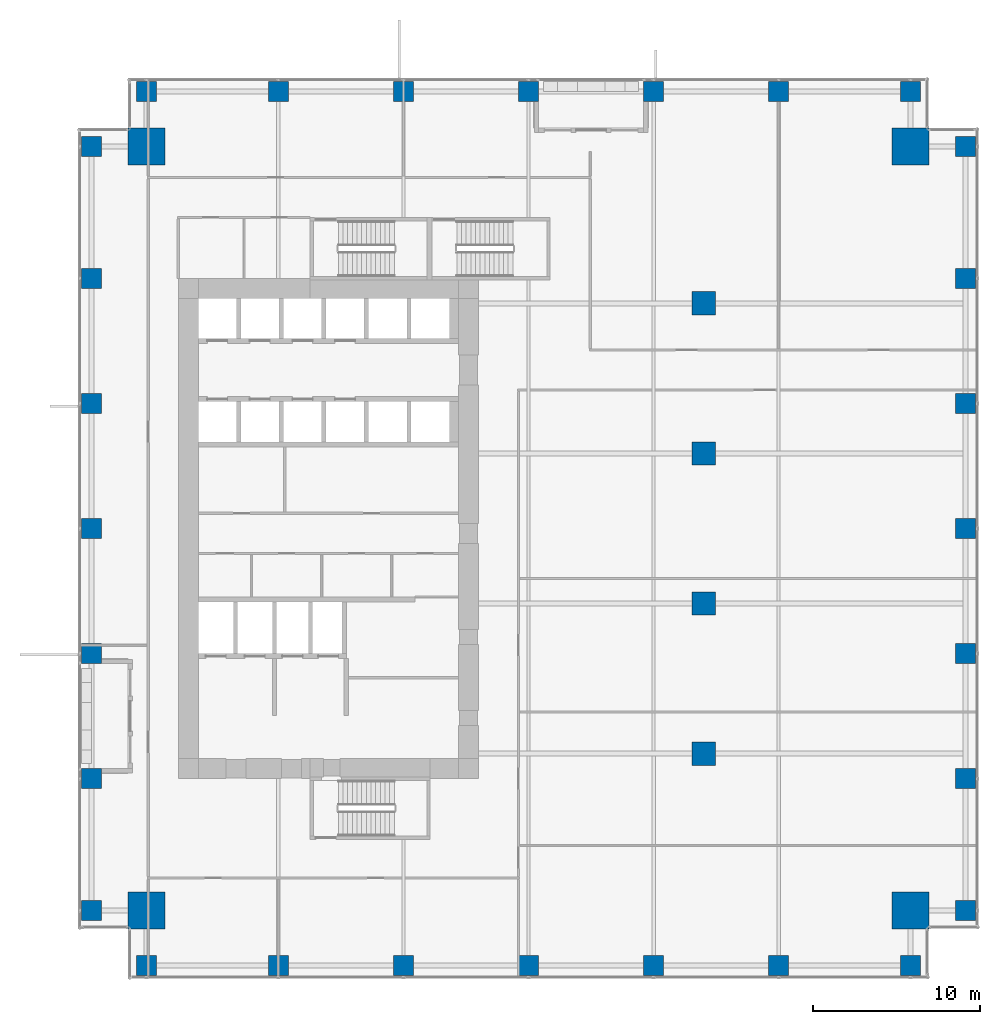
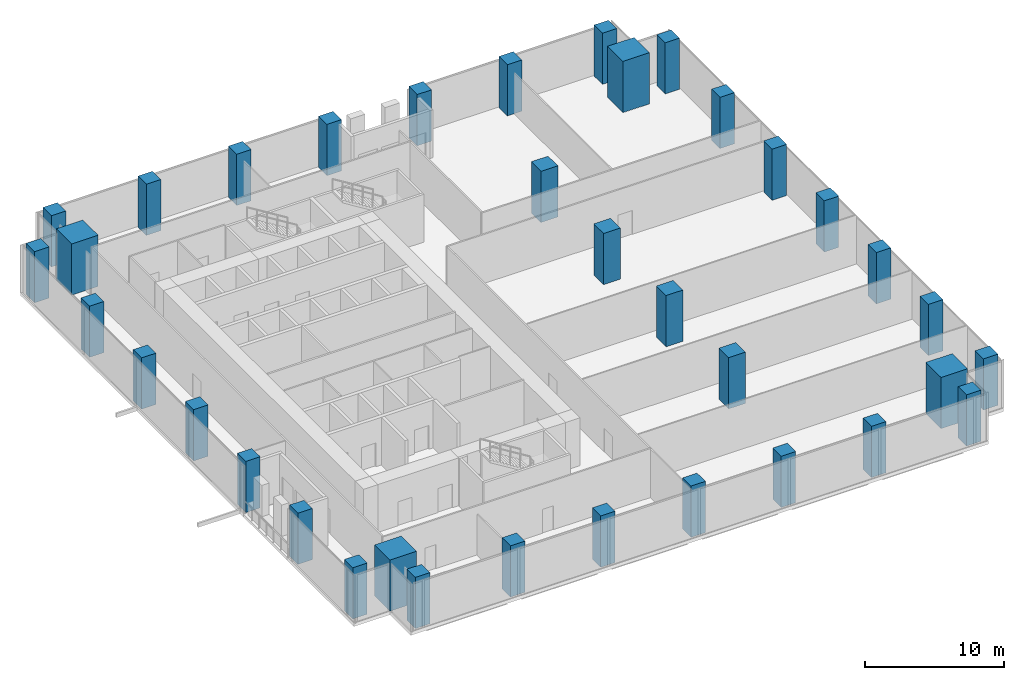
# One storey, part 1 of 33: 36 columns.
"""IFC4 building model written with IfcOpenShell, lengths in metres."""

from ifc_helpers import new_model, si_unit, direction, frame, origin, origin_2d, place, context, subcontext, project, spatial, rectangle, extrude, source, transform, mapped, material, material_profile, profile_set, type_object, element, save


model = new_model("IFC4")

# Units and contexts
model_context = context("Model", 3, precision=1e-05, world=origin(), true_north=direction((0.0, 1.0)))
body_context = subcontext(model_context, "Body", "Model", "MODEL_VIEW")
ifc_project = project(units=[si_unit("LENGTHUNIT", "METRE"), si_unit("AREAUNIT", "SQUARE_METRE"), si_unit("VOLUMEUNIT", "CUBIC_METRE"), si_unit("PLANEANGLEUNIT", "RADIAN"), si_unit("MASSUNIT", "GRAM", prefix="KILO")], contexts=[model_context])

# Site, building, storey
site_placement = place(None, origin())
site = spatial("IfcSite", under=ifc_project, at=site_placement, CompositionType="ELEMENT")
building_placement = place(site_placement, origin())
building = spatial("IfcBuilding", under=site, at=building_placement, Name="Khomas Fold Tower", CompositionType="ELEMENT")
storey_placement = place(building_placement, frame((0.0, 0.0, 91.5)))
storey = spatial("IfcBuildingStorey", under=building, at=storey_placement, Name="L19", CompositionType="ELEMENT", Elevation=91.5)

# Columns
ifc_material_1 = material(Name="Concrete C70/85", Category="concrete")
ifc_material_profile_1 = material_profile(ifc_material_1, rectangle(XDim=2.199951171875, YDim=2.199951171875, at=origin_2d()), Name="RC 2200x2200")
ifc_profile_set_1 = profile_set([ifc_material_profile_1], Name="Concrete C70/85")
column_type_1 = type_object("IfcColumnType", Name="RC 2200x2200 column", PredefinedType="COLUMN", material=ifc_profile_set_1)
shared_shape_1 = source(origin(), body_context, "Body", "SweptSolid", [
    extrude(rectangle(XDim=2.199951171875, YDim=2.199951171875, at=origin_2d()), origin(), (0.0, 0.0, 1.0), 4.5),
])
for number, where, z_axis, x_axis, name in (
    (1, (49.89990234375, 49.89990234375, 0.0), (0.0, 0.0, 1.0), (1.0, 0.0, 0.0), "CM-NE"),
    (2, (4.10009765625, 49.89990234375, 0.0), (0.0, 0.0, 1.0), (1.0, 0.0, 0.0), "CM-NW"),
    (3, (49.89990234375, 4.10009765625, 0.0), (0.0, 0.0, 1.0), (1.0, 0.0, 0.0), "CM-SE"),
    (4, (4.10009765625, 4.10009765625, 0.0), (0.0, 0.0, 1.0), (1.0, 0.0, 0.0), "CM-SW"),
):
    element("IfcColumn", number, at=place(storey_placement, frame(where, z_axis=z_axis, x_axis=x_axis)), inside=storey, type_object=column_type_1, Name=name, PredefinedType="COLUMN", context=body_context, shape_type="MappedRepresentation", body=[
        mapped(shared_shape_1, transform((0.0, 0.0, 0.0))),
    ])
ifc_material_2 = material(Name="Concrete C60/75", Category="concrete")
ifc_material_profile_2 = material_profile(ifc_material_2, rectangle(XDim=1.199951171875, YDim=1.199951171875, at=origin_2d()), Name="RC 1200x1200")
ifc_profile_set_2 = profile_set([ifc_material_profile_2], Name="Concrete C60/75")
column_type_2 = type_object("IfcColumnType", Name="RC 1200x1200 column", PredefinedType="COLUMN", material=ifc_profile_set_2)
shared_shape_2 = source(origin(), body_context, "Body", "SweptSolid", [
    extrude(rectangle(XDim=1.199951171875, YDim=1.199951171875, at=origin_2d()), origin(), (0.0, 0.0, 1.0), 4.5),
])
for number, where, z_axis, x_axis, name in (
    (5, (4.10009765625, 0.800048828125, 0.0), (0.0, 0.0, 1.0), (1.0, 0.0, 0.0), "C-2-SF1"),
    (6, (12.0, 0.800048828125, 0.0), (0.0, 0.0, 1.0), (1.0, 0.0, 0.0), "C-6-SF1"),
    (7, (19.5, 0.800048828125, 0.0), (0.0, 0.0, 1.0), (1.0, 0.0, 0.0), "C-8-SF1"),
    (8, (27.0, 0.800048828125, 0.0), (0.0, 0.0, 1.0), (1.0, 0.0, 0.0), "C-9-SF1"),
    (9, (34.5, 0.800048828125, 0.0), (0.0, 0.0, 1.0), (1.0, 0.0, 0.0), "C-10-SF1"),
    (10, (42.0, 0.800048828125, 0.0), (0.0, 0.0, 1.0), (1.0, 0.0, 0.0), "C-13-SF1"),
    (11, (49.89990234375, 0.800048828125, 0.0), (0.0, 0.0, 1.0), (1.0, 0.0, 0.0), "C-17-SF1"),
    (12, (53.199951171875, 4.10009765625, 0.0), (0.0, 0.0, 1.0), (1.0, 0.0, 0.0), "C-E1-A"),
    (13, (53.199951171875, 12.0, 0.0), (0.0, 0.0, 1.0), (1.0, 0.0, 0.0), "C-E1-F"),
    (14, (53.199951171875, 19.5, 0.0), (0.0, 0.0, 1.0), (1.0, 0.0, 0.0), "C-E1-J"),
    (15, (53.199951171875, 27.0, 0.0), (0.0, 0.0, 1.0), (1.0, 0.0, 0.0), "C-E1-L"),
    (16, (53.199951171875, 34.5, 0.0), (0.0, 0.0, 1.0), (1.0, 0.0, 0.0), "C-E1-N"),
    (17, (53.199951171875, 42.0, 0.0), (0.0, 0.0, 1.0), (1.0, 0.0, 0.0), "C-E1-R"),
    (18, (53.199951171875, 49.89990234375, 0.0), (0.0, 0.0, 1.0), (1.0, 0.0, 0.0), "C-E1-W"),
    (19, (4.10009765625, 53.199951171875, 0.0), (0.0, 0.0, 1.0), (1.0, 0.0, 0.0), "C-2-NF1"),
    (20, (12.0, 53.199951171875, 0.0), (0.0, 0.0, 1.0), (1.0, 0.0, 0.0), "C-6-NF1"),
    (21, (19.5, 53.199951171875, 0.0), (0.0, 0.0, 1.0), (1.0, 0.0, 0.0), "C-8-NF1"),
    (22, (27.0, 53.199951171875, 0.0), (0.0, 0.0, 1.0), (1.0, 0.0, 0.0), "C-9-NF1"),
    (23, (34.5, 53.199951171875, 0.0), (0.0, 0.0, 1.0), (1.0, 0.0, 0.0), "C-10-NF1"),
    (24, (42.0, 53.199951171875, 0.0), (0.0, 0.0, 1.0), (1.0, 0.0, 0.0), "C-13-NF1"),
    (25, (49.89990234375, 53.199951171875, 0.0), (0.0, 0.0, 1.0), (1.0, 0.0, 0.0), "C-17-NF1"),
    (26, (0.800048828125, 4.10009765625, 0.0), (0.0, 0.0, 1.0), (1.0, 0.0, 0.0), "C-W1-A"),
    (27, (0.800048828125, 12.0, 0.0), (0.0, 0.0, 1.0), (1.0, 0.0, 0.0), "C-W1-F"),
    (28, (0.800048828125, 19.5, 0.0), (0.0, 0.0, 1.0), (1.0, 0.0, 0.0), "C-W1-J"),
    (29, (0.800048828125, 27.0, 0.0), (0.0, 0.0, 1.0), (1.0, 0.0, 0.0), "C-W1-L"),
    (30, (0.800048828125, 34.5, 0.0), (0.0, 0.0, 1.0), (1.0, 0.0, 0.0), "C-W1-N"),
    (31, (0.800048828125, 42.0, 0.0), (0.0, 0.0, 1.0), (1.0, 0.0, 0.0), "C-W1-R"),
    (32, (0.800048828125, 49.89990234375, 0.0), (0.0, 0.0, 1.0), (1.0, 0.0, 0.0), "C-W1-W"),
):
    element("IfcColumn", number, at=place(storey_placement, frame(where, z_axis=z_axis, x_axis=x_axis)), inside=storey, type_object=column_type_2, Name=name, PredefinedType="COLUMN", context=body_context, shape_type="MappedRepresentation", body=[
        mapped(shared_shape_2, transform((0.0, 0.0, 0.0))),
    ])
ifc_material_3 = material(Name="Concrete C60/75", Category="concrete")
ifc_material_profile_3 = material_profile(ifc_material_3, rectangle(XDim=1.39990234375, YDim=1.39990234375, at=origin_2d()), Name="RC 1400x1400")
ifc_profile_set_3 = profile_set([ifc_material_profile_3], Name="Concrete C60/75")
column_type_3 = type_object("IfcColumnType", Name="RC 1400x1400 column", PredefinedType="COLUMN", material=ifc_profile_set_3)
shared_shape_3 = source(origin(), body_context, "Body", "SweptSolid", [
    extrude(rectangle(XDim=1.39990234375, YDim=1.39990234375, at=origin_2d()), origin(), (0.0, 0.0, 1.0), 4.5),
])
for number, where, z_axis, x_axis, name in (
    (33, (37.5, 13.5, 0.0), (0.0, 0.0, 1.0), (1.0, 0.0, 0.0), "C-11-H"),
    (34, (37.5, 22.5, 0.0), (0.0, 0.0, 1.0), (1.0, 0.0, 0.0), "C-11-K"),
    (35, (37.5, 31.5, 0.0), (0.0, 0.0, 1.0), (1.0, 0.0, 0.0), "C-11-M"),
    (36, (37.5, 40.5, 0.0), (0.0, 0.0, 1.0), (1.0, 0.0, 0.0), "C-11-P"),
):
    element("IfcColumn", number, at=place(storey_placement, frame(where, z_axis=z_axis, x_axis=x_axis)), inside=storey, type_object=column_type_3, Name=name, PredefinedType="COLUMN", context=body_context, shape_type="MappedRepresentation", body=[
        mapped(shared_shape_3, transform((0.0, 0.0, 0.0))),
    ])

save(model, "model.ifc")
